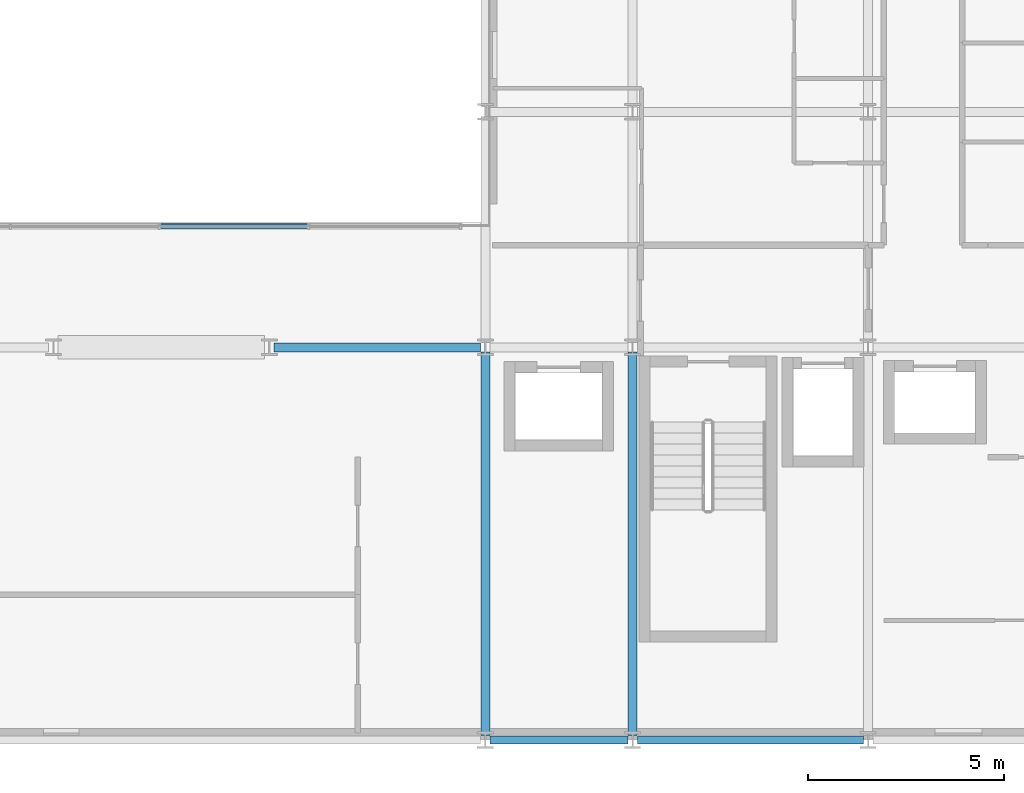
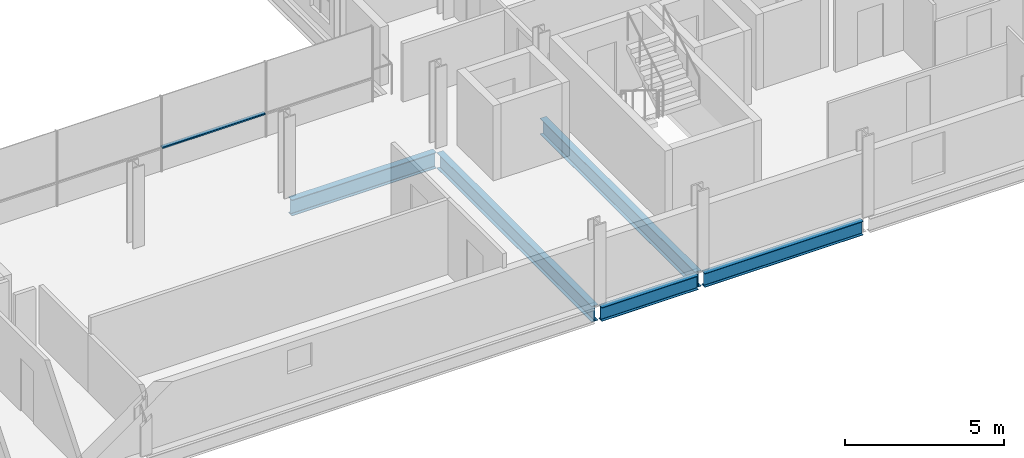
# One storey, part 12 of 38: 5 beams, 1 member, 1 element without a shape of its own.
"""IFC4 building model written with IfcOpenShell, lengths in metres."""

from ifc_helpers import new_model, si_unit, direction, frame, origin, origin_2d, place, context, subcontext, project, spatial, hollow_rectangle, i_section, extrude, material, layer, layer_set, material_profile, profile_set, type_object, element, aggregate, save


model = new_model("IFC4")

# Units and contexts
model_context = context("Model", 3, precision=1e-05, world=origin(), true_north=direction((0.0, 1.0)))
body_context = subcontext(model_context, "Body", "Model", "MODEL_VIEW")
ifc_project = project(units=[si_unit("LENGTHUNIT", "METRE"), si_unit("AREAUNIT", "SQUARE_METRE"), si_unit("VOLUMEUNIT", "CUBIC_METRE"), si_unit("PLANEANGLEUNIT", "RADIAN"), si_unit("MASSUNIT", "GRAM", prefix="KILO")], contexts=[model_context])

# Site, building, storey
site_placement = place(None, origin())
site = spatial("IfcSite", under=ifc_project, at=site_placement, CompositionType="ELEMENT")
building_placement = place(site_placement, origin())
building = spatial("IfcBuilding", under=site, at=building_placement, Name="Brevholm Reach", CompositionType="ELEMENT")
storey_placement = place(building_placement, frame((0.0, 0.0, 128.300048828125)))
storey = spatial("IfcBuildingStorey", under=building, at=storey_placement, Name="L38", CompositionType="ELEMENT", Elevation=128.300048828125)

# Beams
ifc_material_1 = material(Name="Structural Steel S355J2", Category="steel")
ifc_material_profile_1 = material_profile(ifc_material_1, i_section(OverallWidth=0.209228515625, OverallDepth=0.533203125, WebThickness=0.010009765625, FlangeThickness=0.015625, FilletRadius=0.0126953125, at=origin_2d()), Name="UKB 533x210x92")
ifc_profile_set_1 = profile_set([ifc_material_profile_1], Name="Structural Steel S355J2")
beam_type_1 = type_object("IfcBeamType", Name="BM-SP533", PredefinedType="SPANDREL", material=ifc_profile_set_1)
beam_1_placement = place(storey_placement, frame((38.3701171875, 0.0, -0.486572265625), z_axis=(1.0, 0.0, 0.0), x_axis=(0.0, 1.0, 0.0)))
element("IfcBeam", 1, at=beam_1_placement, inside=storey, type_object=beam_type_1, Name="L38 SP-02 Framing Beam", PredefinedType="SPANDREL", context=body_context, shape_type="SweptSolid", body=[
    extrude(i_section(OverallWidth=0.209228515625, OverallDepth=0.533203125, WebThickness=0.010009765625, FlangeThickness=0.015625, FilletRadius=0.0126953125, at=origin_2d()), origin(), (0.0, 0.0, 1.0), 3.509765625),
])
beam_2_placement = place(storey_placement, frame((42.1201171875, 0.0, -0.486572265625), z_axis=(1.0, 0.0, 0.0), x_axis=(0.0, 1.0, 0.0)))
element("IfcBeam", 2, at=beam_2_placement, inside=storey, type_object=beam_type_1, Name="L38 SP-02 Framing Beam", PredefinedType="SPANDREL", context=body_context, shape_type="SweptSolid", body=[
    extrude(i_section(OverallWidth=0.209228515625, OverallDepth=0.533203125, WebThickness=0.010009765625, FlangeThickness=0.015625, FilletRadius=0.0126953125, at=origin_2d()), origin(), (0.0, 0.0, 1.0), 5.759765625),
])
ifc_material_2 = material(Name="Structural Steel S355J2", Category="steel")
ifc_material_profile_2 = material_profile(ifc_material_2, i_section(OverallWidth=0.22900390625, OverallDepth=0.6123046875, WebThickness=0.011962890625, FlangeThickness=0.01953125, FilletRadius=0.0126953125, at=origin_2d()), Name="UKB 610x229x125")
ifc_profile_set_2 = profile_set([ifc_material_profile_2], Name="Structural Steel S355J2")
beam_type_2 = type_object("IfcBeamType", Name="BM-SP610", PredefinedType="SPANDREL", material=ifc_profile_set_2)
beam_3_placement = place(storey_placement, frame((32.8701171875, 10.0, -0.526123046875), z_axis=(1.0, 0.0, 0.0), x_axis=(0.0, 1.0, 0.0)))
element("IfcBeam", 3, at=beam_3_placement, inside=storey, type_object=beam_type_2, Name="L38 SP-01 Framing Beam", PredefinedType="SPANDREL", context=body_context, shape_type="SweptSolid", body=[
    extrude(i_section(OverallWidth=0.22900390625, OverallDepth=0.6123046875, WebThickness=0.011962890625, FlangeThickness=0.01953125, FilletRadius=0.0126953125, at=origin_2d()), origin(), (0.0, 0.0, 1.0), 5.259765625),
])
for number, where, z_axis, x_axis, name in (
    (4, (38.25, 0.1201171875, -0.526123046875), (0.0, 1.0, 0.0), (-1.0, 0.0, 0.0), "L38 SP-01 Framing Beam"),
    (5, (42.0, 0.1201171875, -0.526123046875), (0.0, 1.0, 0.0), (-1.0, 0.0, 0.0), "L38 SP-01 Framing Beam"),
):
    element("IfcBeam", number, at=place(storey_placement, frame(where, z_axis=z_axis, x_axis=x_axis)), inside=storey, type_object=beam_type_2, Name=name, PredefinedType="SPANDREL", context=body_context, shape_type="SweptSolid", body=[
        extrude(i_section(OverallWidth=0.22900390625, OverallDepth=0.6123046875, WebThickness=0.011962890625, FlangeThickness=0.01953125, FilletRadius=0.0126953125, at=origin_2d()), origin(), (0.0, 0.0, 1.0), 9.759765625),
    ])

# Curtain wall, member
ifc_material_3 = material(Name="Dark Anodised Aluminium 6063-T6 and Solar-Control Glass", Category="aluminium")
ifc_layer = layer(ifc_material_3, 0.139892578125)
ifc_layer_set = layer_set([ifc_layer], Name="Dark Anodised Aluminium 6063-T6 and Solar-Control Glass")
curtain_wall_type = type_object("IfcCurtainWallType", Name="CW-02", PredefinedType="NOTDEFINED", material=ifc_layer_set)
curtain_wall_placement = place(storey_placement, origin())
curtain_wall = element("IfcCurtainWall", 6, at=curtain_wall_placement, inside=storey, type_object=curtain_wall_type, Name="L38 Curtain Wall CW-02", PredefinedType="NOTDEFINED")
ifc_material_4 = material(Name="Dark Anodised Aluminium 6063-T6", Category="aluminium")
ifc_material_profile_3 = material_profile(ifc_material_4, hollow_rectangle(XDim=0.06005859375, YDim=0.139892578125, WallThickness=0.0048828125, InnerFilletRadius=0.0048828125, OuterFilletRadius=0.010009765625, at=origin_2d()), Name="RHS 140x60x5")
ifc_profile_set_3 = profile_set([ifc_material_profile_3], Name="Dark Anodised Aluminium 6063-T6")
member_type = type_object("IfcMemberType", Name="CWT-140", PredefinedType="NOTDEFINED", material=ifc_profile_set_3)
member_placement = place(storey_placement, frame((29.97998046875, 13.080078125, 0.89990234375), z_axis=(1.0, 0.0, 0.0), x_axis=(0.0, 0.0, 1.0)))
member = element("IfcMember", 7, at=member_placement, type_object=member_type, Name="CT-140 Transom 3.1", ObjectType="TRANSOM", PredefinedType="USERDEFINED", context=body_context, shape_type="SweptSolid", body=[
    extrude(hollow_rectangle(XDim=0.06005859375, YDim=0.139892578125, WallThickness=0.0048828125, InnerFilletRadius=0.0048828125, OuterFilletRadius=0.010009765625, at=origin_2d()), origin(), (0.0, 0.0, 1.0), 3.739990234375),
])
aggregate(curtain_wall, [member])

save(model, "model.ifc")
